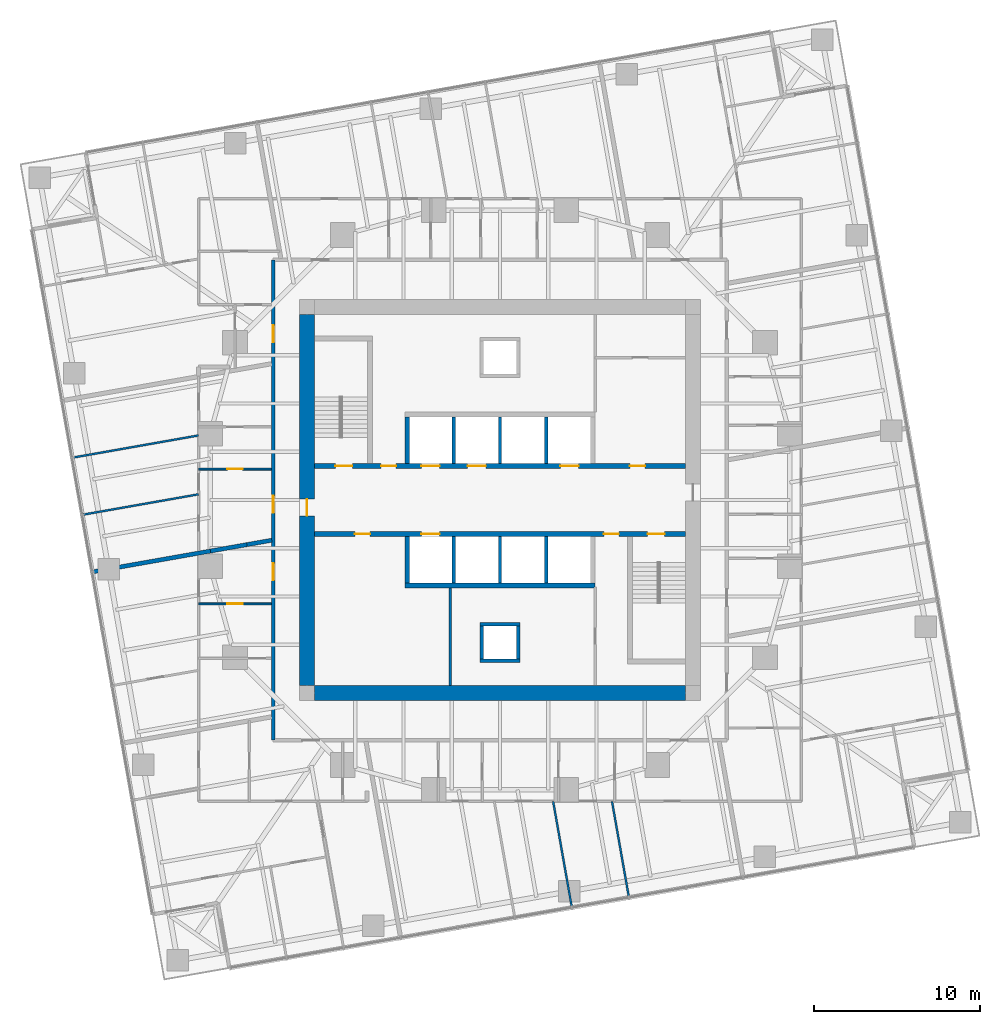
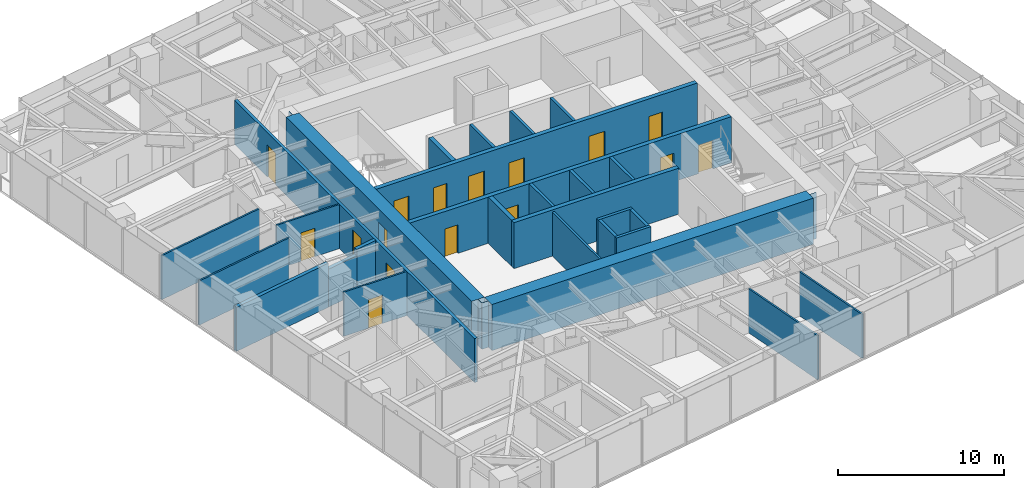
# One storey, part 9 of 14: 28 walls, 16 doors, 16 openings.
"""IFC4 building model written with IfcOpenShell, lengths in metres."""

from ifc_helpers import new_model, si_unit, direction, frame, frame_2d, origin, place, context, subcontext, project, spatial, polyline, rectangle, outline, extrude, material, layer, layer_set, type_object, element, fill, save


model = new_model("IFC4")

# Units and contexts
model_context = context("Model", 3, precision=1e-05, world=origin(), true_north=direction((0.0, 1.0)))
body_context = subcontext(model_context, "Body", "Model", "MODEL_VIEW")
ifc_project = project(units=[si_unit("LENGTHUNIT", "METRE"), si_unit("AREAUNIT", "SQUARE_METRE"), si_unit("VOLUMEUNIT", "CUBIC_METRE"), si_unit("PLANEANGLEUNIT", "RADIAN"), si_unit("MASSUNIT", "GRAM", prefix="KILO")], contexts=[model_context])

# Site, building, storey
site_placement = place(None, origin())
site = spatial("IfcSite", under=ifc_project, at=site_placement, CompositionType="ELEMENT")
building_placement = place(site_placement, origin())
building = spatial("IfcBuilding", under=site, at=building_placement, Name="Torsade Residences", CompositionType="ELEMENT")
storey_placement = place(building_placement, frame((0.0, 0.0, 99.800048828125)))
storey = spatial("IfcBuildingStorey", under=building, at=storey_placement, Name="L27", CompositionType="ELEMENT", Elevation=99.800048828125)

# Wall, openings, doors
ifc_material_1 = material(Name="Concrete 80 MPa", Category="concrete")
ifc_layer_1 = layer(ifc_material_1, 0.300048828125)
ifc_layer_set_1 = layer_set([ifc_layer_1], Name="Concrete 80 MPa")
wall_type_1 = type_object("IfcWallType", Name="CORE INTERNAL WALL 300", PredefinedType="SHEAR", material=ifc_layer_set_1)
wall_1_placement = place(storey_placement, frame((28.800048828125, 32.050048828125, 0.0), z_axis=(0.0, 0.0, 1.0), x_axis=(1.0, 0.0, 0.0)))
wall_1 = element("IfcWall", 1, at=wall_1_placement, inside=storey, type_object=wall_type_1, Name="Core wall LN L27", PredefinedType="SHEAR", context=body_context, shape_type="SweptSolid", body=[
    extrude(rectangle(XDim=22.39990234375, YDim=0.300048828125, at=frame_2d((11.199951171875, 0.0))), origin(), (0.0, 0.0, 1.0), 3.39990234375),
])
opening_1_placement = place(wall_1_placement, frame((19.0400390625, 0.0, 0.0)))
opening_1 = element("IfcOpeningElement", 2, at=opening_1_placement, cuts=wall_1, Name="Opening D06", PredefinedType="OPENING", context=body_context, shape_type="SweptSolid", body=[
    extrude(rectangle(XDim=0.919921875, YDim=2.10009765625, at=frame_2d((0.4599609375, 1.050048828125))), frame((0.0, 0.159912109375, 0.0), z_axis=(0.0, -1.0, 0.0), x_axis=(1.0, 0.0, 0.0)), (0.0, 0.0, 1.0), 0.320068359375),
])
opening_2_placement = place(wall_1_placement, frame((1.264892578125, 0.0, 0.0)))
opening_2 = element("IfcOpeningElement", 3, at=opening_2_placement, cuts=wall_1, Name="Opening D03", PredefinedType="OPENING", context=body_context, shape_type="SweptSolid", body=[
    extrude(rectangle(XDim=1.02001953125, YDim=2.10009765625, at=frame_2d((0.510009765625, 1.050048828125))), frame((0.0, 0.159912109375, 0.0), z_axis=(0.0, -1.0, 0.0), x_axis=(1.0, 0.0, 0.0)), (0.0, 0.0, 1.0), 0.320068359375),
])
opening_3_placement = place(wall_1_placement, frame((4.014892578125, 0.0, 0.0)))
opening_3 = element("IfcOpeningElement", 4, at=opening_3_placement, cuts=wall_1, Name="Opening D06", PredefinedType="OPENING", context=body_context, shape_type="SweptSolid", body=[
    extrude(rectangle(XDim=0.919921875, YDim=2.10009765625, at=frame_2d((0.4599609375, 1.050048828125))), frame((0.0, 0.159912109375, 0.0), z_axis=(0.0, -1.0, 0.0), x_axis=(1.0, 0.0, 0.0)), (0.0, 0.0, 1.0), 0.320068359375),
])
opening_4_placement = place(wall_1_placement, frame((6.449951171875, 0.0, 0.0)))
opening_4 = element("IfcOpeningElement", 5, at=opening_4_placement, cuts=wall_1, Name="Opening LD", PredefinedType="OPENING", context=body_context, shape_type="SweptSolid", body=[
    extrude(rectangle(XDim=1.10009765625, YDim=2.10009765625, at=frame_2d((0.550048828125, 1.050048828125))), frame((0.0, 0.159912109375, 0.0), z_axis=(0.0, -1.0, 0.0), x_axis=(1.0, 0.0, 0.0)), (0.0, 0.0, 1.0), 0.320068359375),
])
opening_5_placement = place(wall_1_placement, frame((9.25, 0.0, 0.0)))
opening_5 = element("IfcOpeningElement", 6, at=opening_5_placement, cuts=wall_1, Name="Opening LD", PredefinedType="OPENING", context=body_context, shape_type="SweptSolid", body=[
    extrude(rectangle(XDim=1.10009765625, YDim=2.10009765625, at=frame_2d((0.550048828125, 1.050048828125))), frame((0.0, 0.159912109375, 0.0), z_axis=(0.0, -1.0, 0.0), x_axis=(1.0, 0.0, 0.0)), (0.0, 0.0, 1.0), 0.320068359375),
])
opening_6_placement = place(wall_1_placement, frame((14.85009765625, 0.0, 0.0)))
opening_6 = element("IfcOpeningElement", 7, at=opening_6_placement, cuts=wall_1, Name="Opening LD", PredefinedType="OPENING", context=body_context, shape_type="SweptSolid", body=[
    extrude(rectangle(XDim=1.10009765625, YDim=2.10009765625, at=frame_2d((0.550048828125, 1.050048828125))), frame((0.0, 0.159912109375, 0.0), z_axis=(0.0, -1.0, 0.0), x_axis=(1.0, 0.0, 0.0)), (0.0, 0.0, 1.0), 0.320068359375),
])
ifc_material_2 = material(Name="Steel-framed fire door", Category="steel")
door_type_1 = type_object("IfcDoorType", Name="FIRE DOOR 1020", OperationType="NOTDEFINED", PredefinedType="DOOR", material=ifc_material_2)
door_1_placement = place(opening_2_placement, origin())
door_1 = element("IfcDoor", 8, at=door_1_placement, inside=storey, type_object=door_type_1, Name="Exit door to fire-isolated stair ST1 L27", OperationType="SINGLE_SWING_RIGHT", OverallHeight=2.10009765625, OverallWidth=1.02001953125, PredefinedType="DOOR", context=body_context, shape_type="SweptSolid", body=[
    extrude(rectangle(XDim=1.02001953125, YDim=2.10009765625, at=frame_2d((0.510009765625, 1.050048828125))), frame((0.0, 0.02490234375, 0.0), z_axis=(0.0, -1.0, 0.0), x_axis=(1.0, 0.0, 0.0)), (0.0, 0.0, 1.0), 0.050048828125),
])
fill(opening_2, door_1)
ifc_material_3 = material(Name="Steel-framed fire door", Category="steel")
door_type_2 = type_object("IfcDoorType", Name="FIRE DOOR 920", OperationType="NOTDEFINED", PredefinedType="DOOR", material=ifc_material_3)
door_2_placement = place(opening_1_placement, origin())
door_2 = element("IfcDoor", 9, at=door_2_placement, inside=storey, type_object=door_type_2, Name="Door Lift lobby to Refuse room", OperationType="SINGLE_SWING_LEFT", OverallHeight=2.10009765625, OverallWidth=0.919921875, PredefinedType="DOOR", context=body_context, shape_type="SweptSolid", body=[
    extrude(rectangle(XDim=0.919921875, YDim=2.10009765625, at=frame_2d((0.4599609375, 1.050048828125))), frame((0.0, 0.02490234375, 0.0), z_axis=(0.0, -1.0, 0.0), x_axis=(1.0, 0.0, 0.0)), (0.0, 0.0, 1.0), 0.050048828125),
])
fill(opening_1, door_2)
door_3_placement = place(opening_3_placement, origin())
door_3 = element("IfcDoor", 10, at=door_3_placement, inside=storey, type_object=door_type_2, Name="Door Lift lobby to Electrical riser room", OperationType="SINGLE_SWING_LEFT", OverallHeight=2.10009765625, OverallWidth=0.919921875, PredefinedType="DOOR", context=body_context, shape_type="SweptSolid", body=[
    extrude(rectangle(XDim=0.919921875, YDim=2.10009765625, at=frame_2d((0.4599609375, 1.050048828125))), frame((0.0, 0.02490234375, 0.0), z_axis=(0.0, -1.0, 0.0), x_axis=(1.0, 0.0, 0.0)), (0.0, 0.0, 1.0), 0.050048828125),
])
fill(opening_3, door_3)
ifc_material_4 = material(Name="Stainless steel lift landing door", Category="steel")
door_type_3 = type_object("IfcDoorType", Name="LIFT LANDING DOOR 1100", OperationType="SLIDING_TO_LEFT", PredefinedType="DOOR", material=ifc_material_4)
door_4_placement = place(opening_4_placement, origin())
door_4 = element("IfcDoor", 11, at=door_4_placement, inside=storey, type_object=door_type_3, Name="Lift LA1 landing door L27", OperationType="SLIDING_TO_LEFT", OverallHeight=2.10009765625, OverallWidth=1.10009765625, PredefinedType="DOOR", context=body_context, shape_type="SweptSolid", body=[
    extrude(rectangle(XDim=1.10009765625, YDim=2.10009765625, at=frame_2d((0.550048828125, 1.050048828125))), frame((0.0, 0.02490234375, 0.0), z_axis=(0.0, -1.0, 0.0), x_axis=(1.0, 0.0, 0.0)), (0.0, 0.0, 1.0), 0.050048828125),
])
fill(opening_4, door_4)
door_5_placement = place(opening_5_placement, origin())
door_5 = element("IfcDoor", 12, at=door_5_placement, inside=storey, type_object=door_type_3, Name="Lift LA2 landing door L27", OperationType="SLIDING_TO_LEFT", OverallHeight=2.10009765625, OverallWidth=1.10009765625, PredefinedType="DOOR", context=body_context, shape_type="SweptSolid", body=[
    extrude(rectangle(XDim=1.10009765625, YDim=2.10009765625, at=frame_2d((0.550048828125, 1.050048828125))), frame((0.0, 0.02490234375, 0.0), z_axis=(0.0, -1.0, 0.0), x_axis=(1.0, 0.0, 0.0)), (0.0, 0.0, 1.0), 0.050048828125),
])
fill(opening_5, door_5)
door_6_placement = place(opening_6_placement, origin())
door_6 = element("IfcDoor", 13, at=door_6_placement, inside=storey, type_object=door_type_3, Name="Lift FL1 landing door L27", OperationType="SLIDING_TO_LEFT", OverallHeight=2.10009765625, OverallWidth=1.10009765625, PredefinedType="DOOR", context=body_context, shape_type="SweptSolid", body=[
    extrude(rectangle(XDim=1.10009765625, YDim=2.10009765625, at=frame_2d((0.550048828125, 1.050048828125))), frame((0.0, 0.02490234375, 0.0), z_axis=(0.0, -1.0, 0.0), x_axis=(1.0, 0.0, 0.0)), (0.0, 0.0, 1.0), 0.050048828125),
])
fill(opening_6, door_6)

wall_2_placement = place(storey_placement, frame((51.199951171875, 27.949951171875, 0.0), z_axis=(0.0, 0.0, 1.0), x_axis=(-1.0, 0.0, 0.0)))
wall_2 = element("IfcWall", 14, at=wall_2_placement, inside=storey, type_object=wall_type_1, Name="Core wall LS L27", PredefinedType="SHEAR", context=body_context, shape_type="SweptSolid", body=[
    extrude(rectangle(XDim=22.39990234375, YDim=0.300048828125, at=frame_2d((11.199951171875, 0.0))), origin(), (0.0, 0.0, 1.0), 3.39990234375),
])
opening_7_placement = place(wall_2_placement, frame((19.0400390625, 0.0, 0.0)))
opening_7 = element("IfcOpeningElement", 15, at=opening_7_placement, cuts=wall_2, Name="Opening D06", PredefinedType="OPENING", context=body_context, shape_type="SweptSolid", body=[
    extrude(rectangle(XDim=0.919921875, YDim=2.10009765625, at=frame_2d((0.4599609375, 1.050048828125))), frame((0.0, 0.159912109375, 0.0), z_axis=(0.0, -1.0, 0.0), x_axis=(1.0, 0.0, 0.0)), (0.0, 0.0, 1.0), 0.320068359375),
])
opening_8_placement = place(wall_2_placement, frame((1.264892578125, 0.0, 0.0)))
opening_8 = element("IfcOpeningElement", 16, at=opening_8_placement, cuts=wall_2, Name="Opening D03", PredefinedType="OPENING", context=body_context, shape_type="SweptSolid", body=[
    extrude(rectangle(XDim=1.02001953125, YDim=2.10009765625, at=frame_2d((0.510009765625, 1.050048828125))), frame((0.0, 0.159912109375, 0.0), z_axis=(0.0, -1.0, 0.0), x_axis=(1.0, 0.0, 0.0)), (0.0, 0.0, 1.0), 0.320068359375),
])
opening_9_placement = place(wall_2_placement, frame((4.014892578125, 0.0, 0.0)))
opening_9 = element("IfcOpeningElement", 17, at=opening_9_placement, cuts=wall_2, Name="Opening D06", PredefinedType="OPENING", context=body_context, shape_type="SweptSolid", body=[
    extrude(rectangle(XDim=0.919921875, YDim=2.10009765625, at=frame_2d((0.4599609375, 1.050048828125))), frame((0.0, 0.159912109375, 0.0), z_axis=(0.0, -1.0, 0.0), x_axis=(1.0, 0.0, 0.0)), (0.0, 0.0, 1.0), 0.320068359375),
])
opening_10_placement = place(wall_2_placement, frame((14.85009765625, 0.0, 0.0)))
opening_10 = element("IfcOpeningElement", 18, at=opening_10_placement, cuts=wall_2, Name="Opening LD", PredefinedType="OPENING", context=body_context, shape_type="SweptSolid", body=[
    extrude(rectangle(XDim=1.10009765625, YDim=2.10009765625, at=frame_2d((0.550048828125, 1.050048828125))), frame((0.0, 0.159912109375, 0.0), z_axis=(0.0, -1.0, 0.0), x_axis=(1.0, 0.0, 0.0)), (0.0, 0.0, 1.0), 0.320068359375),
])
door_7_placement = place(opening_8_placement, origin())
door_7 = element("IfcDoor", 19, at=door_7_placement, inside=storey, type_object=door_type_1, Name="Exit door to fire-isolated stair ST2 L27", OperationType="SINGLE_SWING_RIGHT", OverallHeight=2.10009765625, OverallWidth=1.02001953125, PredefinedType="DOOR", context=body_context, shape_type="SweptSolid", body=[
    extrude(rectangle(XDim=1.02001953125, YDim=2.10009765625, at=frame_2d((0.510009765625, 1.050048828125))), frame((0.0, 0.02490234375, 0.0), z_axis=(0.0, -1.0, 0.0), x_axis=(1.0, 0.0, 0.0)), (0.0, 0.0, 1.0), 0.050048828125),
])
fill(opening_8, door_7)
door_8_placement = place(opening_7_placement, origin())
door_8 = element("IfcDoor", 20, at=door_8_placement, inside=storey, type_object=door_type_2, Name="Door Lift lobby to Cleaner store", OperationType="SINGLE_SWING_LEFT", OverallHeight=2.10009765625, OverallWidth=0.919921875, PredefinedType="DOOR", context=body_context, shape_type="SweptSolid", body=[
    extrude(rectangle(XDim=0.919921875, YDim=2.10009765625, at=frame_2d((0.4599609375, 1.050048828125))), frame((0.0, 0.02490234375, 0.0), z_axis=(0.0, -1.0, 0.0), x_axis=(1.0, 0.0, 0.0)), (0.0, 0.0, 1.0), 0.050048828125),
])
fill(opening_7, door_8)
door_9_placement = place(opening_9_placement, origin())
door_9 = element("IfcDoor", 21, at=door_9_placement, inside=storey, type_object=door_type_2, Name="Door Lift lobby to Security and data store", OperationType="SINGLE_SWING_RIGHT", OverallHeight=2.10009765625, OverallWidth=0.919921875, PredefinedType="DOOR", context=body_context, shape_type="SweptSolid", body=[
    extrude(rectangle(XDim=0.919921875, YDim=2.10009765625, at=frame_2d((0.4599609375, 1.050048828125))), frame((0.0, 0.02490234375, 0.0), z_axis=(0.0, -1.0, 0.0), x_axis=(1.0, 0.0, 0.0)), (0.0, 0.0, 1.0), 0.050048828125),
])
fill(opening_9, door_9)
door_10_placement = place(opening_10_placement, origin())
door_10 = element("IfcDoor", 22, at=door_10_placement, inside=storey, type_object=door_type_3, Name="Lift FL2 landing door L27", OperationType="SLIDING_TO_LEFT", OverallHeight=2.10009765625, OverallWidth=1.10009765625, PredefinedType="DOOR", context=body_context, shape_type="SweptSolid", body=[
    extrude(rectangle(XDim=1.10009765625, YDim=2.10009765625, at=frame_2d((0.550048828125, 1.050048828125))), frame((0.0, 0.02490234375, 0.0), z_axis=(0.0, -1.0, 0.0), x_axis=(1.0, 0.0, 0.0)), (0.0, 0.0, 1.0), 0.050048828125),
])
fill(opening_10, door_10)

# Walls
wall_3_placement = place(storey_placement, frame((45.75, 24.85009765625, 0.0), z_axis=(0.0, 0.0, 1.0), x_axis=(-1.0, 0.0, 0.0)))
element("IfcWall", 23, at=wall_3_placement, inside=storey, type_object=wall_type_1, Name="Core wall BS L27", PredefinedType="SHEAR", context=body_context, shape_type="SweptSolid", body=[
    extrude(rectangle(XDim=11.5, YDim=0.300048828125, at=frame_2d((5.75, 0.0))), origin(), (0.0, 0.0, 1.0), 3.39990234375),
])
for number, where, z_axis, x_axis, name in (
    (24, (34.39990234375, 32.199951171875, 0.0), (0.0, 0.0, 1.0), (0.0, 1.0, 0.0), "Core wall DN0 L27"),
    (25, (34.39990234375, 27.800048828125, 0.0), (0.0, 0.0, 1.0), (0.0, -1.0, 0.0), "Core wall DS4 L27"),
):
    element("IfcWall", number, at=place(storey_placement, frame(where, z_axis=z_axis, x_axis=x_axis)), inside=storey, type_object=wall_type_1, Name=name, PredefinedType="SHEAR", context=body_context, shape_type="SweptSolid", body=[
        extrude(rectangle(XDim=2.800048828125, YDim=0.300048828125, at=frame_2d((1.39990234375, 0.0))), origin(), (0.0, 0.0, 1.0), 3.39990234375),
    ])
ifc_material_5 = material(Name="Concrete 80 MPa", Category="concrete")
ifc_layer_2 = layer(ifc_material_5, 0.89990234375)
ifc_layer_set_2 = layer_set([ifc_layer_2], Name="Concrete 80 MPa")
wall_type_2 = type_object("IfcWallType", Name="CORE WALL 900", PredefinedType="SHEAR", material=ifc_layer_set_2)
wall_4_placement = place(storey_placement, frame((51.199951171875, 18.35009765625, 0.0), z_axis=(0.0, 0.0, 1.0), x_axis=(-1.0, 0.0, 0.0)))
element("IfcWall", 26, at=wall_4_placement, inside=storey, type_object=wall_type_2, Name="Core wall S L27", PredefinedType="SHEAR", context=body_context, shape_type="SweptSolid", body=[
    extrude(outline(polyline([(0.0, -0.449951171875), (22.39990234375, -0.449951171875), (22.39990234375, -0.02490234375), (22.849853515625, -0.02490234375), (22.849853515625, 0.02490234375), (22.39990234375, 0.02490234375), (22.39990234375, 0.449951171875), (0.0, 0.449951171875), (0.0, 0.02490234375), (-0.449951171875, 0.02490234375), (-0.449951171875, -0.02490234375), (0.0, -0.02490234375), (0.0, -0.449951171875)])), origin(), (0.0, 0.0, 1.0), 3.39990234375),
])

# Wall, opening, door
wall_5_placement = place(storey_placement, frame((28.35009765625, 41.199951171875, 0.0), z_axis=(0.0, 0.0, 1.0), x_axis=(0.0, -1.0, 0.0)))
wall_5 = element("IfcWall", 27, at=wall_5_placement, inside=storey, type_object=wall_type_2, Name="Core wall W L27", PredefinedType="SHEAR", context=body_context, shape_type="SweptSolid", body=[
    extrude(outline(polyline([(0.0, -0.449951171875), (22.39990234375, -0.449951171875), (22.39990234375, -0.02490234375), (22.849853515625, -0.02490234375), (22.849853515625, 0.02490234375), (22.39990234375, 0.02490234375), (22.39990234375, 0.449951171875), (0.0, 0.449951171875), (0.0, 0.02490234375), (-0.449951171875, 0.02490234375), (-0.449951171875, -0.02490234375), (0.0, -0.02490234375), (0.0, -0.449951171875)])), origin(), (0.0, 0.0, 1.0), 3.39990234375),
])
opening_11_placement = place(wall_5_placement, frame((11.139892578125, 0.0, 0.0)))
opening_11 = element("IfcOpeningElement", 28, at=opening_11_placement, cuts=wall_5, Name="Opening D04", PredefinedType="OPENING", context=body_context, shape_type="SweptSolid", body=[
    extrude(rectangle(XDim=1.02001953125, YDim=2.39990234375, at=frame_2d((0.510009765625, 1.199951171875))), frame((0.0, 0.4599609375, 0.0), z_axis=(0.0, -1.0, 0.0), x_axis=(1.0, 0.0, 0.0)), (0.0, 0.0, 1.0), 0.919921875),
])
ifc_material_6 = material(Name="Steel-framed fire door", Category="steel")
door_type_4 = type_object("IfcDoorType", Name="LOBBY SMOKE DOOR 1020x2400", OperationType="NOTDEFINED", PredefinedType="DOOR", material=ifc_material_6)
door_11_placement = place(opening_11_placement, origin())
door_11 = element("IfcDoor", 29, at=door_11_placement, inside=storey, type_object=door_type_4, Name="Lift lobby door W L27", OperationType="SINGLE_SWING_RIGHT", OverallHeight=2.39990234375, OverallWidth=1.02001953125, PredefinedType="DOOR", context=body_context, shape_type="SweptSolid", body=[
    extrude(rectangle(XDim=1.02001953125, YDim=2.39990234375, at=frame_2d((0.510009765625, 1.199951171875))), frame((0.0, 0.02490234375, 0.0), z_axis=(0.0, -1.0, 0.0), x_axis=(1.0, 0.0, 0.0)), (0.0, 0.0, 1.0), 0.050048828125),
])
fill(opening_11, door_11)

# Wall, openings, doors
ifc_material_7 = material(Name="Plasterboard on steel stud", Category="steel")
ifc_layer_3 = layer(ifc_material_7, 0.199951171875)
ifc_layer_set_3 = layer_set([ifc_layer_3], Name="Plasterboard on steel stud")
wall_type_3 = type_object("IfcWallType", Name="CORRIDOR WALL 200", PredefinedType="PARTITIONING", material=ifc_layer_set_3)
wall_6_placement = place(storey_placement, frame((26.300048828125, 44.5, 0.0), z_axis=(0.0, 0.0, 1.0), x_axis=(0.0, -1.0, 0.0)))
wall_6 = element("IfcWall", 30, at=wall_6_placement, inside=storey, type_object=wall_type_3, Name="Corridor wall L27", PredefinedType="PARTITIONING", context=body_context, shape_type="SweptSolid", body=[
    extrude(rectangle(XDim=29.0, YDim=0.199951171875, at=frame_2d((14.5, 0.0))), origin(), (0.0, 0.0, 1.0), 3.25),
])
opening_12_placement = place(wall_6_placement, frame((14.257080078125, 0.0, 0.0)))
opening_12 = element("IfcOpeningElement", 31, at=opening_12_placement, cuts=wall_6, Name="Opening D01", PredefinedType="OPENING", context=body_context, shape_type="SweptSolid", body=[
    extrude(rectangle(XDim=1.02001953125, YDim=2.340087890625, at=frame_2d((0.510009765625, 1.169921875))), frame((0.0, 0.10986328125, 0.0), z_axis=(0.0, -1.0, 0.0), x_axis=(1.0, 0.0, 0.0)), (0.0, 0.0, 1.0), 0.219970703125),
])
opening_13_placement = place(wall_6_placement, frame((18.321533203125, 0.0, 0.0)))
opening_13 = element("IfcOpeningElement", 32, at=opening_13_placement, cuts=wall_6, Name="Opening D01", PredefinedType="OPENING", context=body_context, shape_type="SweptSolid", body=[
    extrude(rectangle(XDim=1.02001953125, YDim=2.340087890625, at=frame_2d((0.510009765625, 1.169921875))), frame((0.0, 0.10986328125, 0.0), z_axis=(0.0, -1.0, 0.0), x_axis=(1.0, 0.0, 0.0)), (0.0, 0.0, 1.0), 0.219970703125),
])
opening_14_placement = place(wall_6_placement, frame((3.962646484375, 0.0, 0.0)))
opening_14 = element("IfcOpeningElement", 33, at=opening_14_placement, cuts=wall_6, Name="Opening D01", PredefinedType="OPENING", context=body_context, shape_type="SweptSolid", body=[
    extrude(rectangle(XDim=1.02001953125, YDim=2.340087890625, at=frame_2d((0.510009765625, 1.169921875))), frame((0.0, 0.10986328125, 0.0), z_axis=(0.0, -1.0, 0.0), x_axis=(1.0, 0.0, 0.0)), (0.0, 0.0, 1.0), 0.219970703125),
])
ifc_material_8 = material(Name="Solid-core timber fire door", Category="wood")
door_type_5 = type_object("IfcDoorType", Name="APARTMENT ENTRY DOOR 1020x2340", OperationType="NOTDEFINED", PredefinedType="DOOR", material=ifc_material_8)
door_12_placement = place(opening_12_placement, origin())
door_12 = element("IfcDoor", 34, at=door_12_placement, inside=storey, type_object=door_type_5, Name="Door Residential corridor to Kitchen and dining", OperationType="SINGLE_SWING_LEFT", OverallHeight=2.340087890625, OverallWidth=1.02001953125, PredefinedType="DOOR", context=body_context, shape_type="SweptSolid", body=[
    extrude(rectangle(XDim=1.02001953125, YDim=2.340087890625, at=frame_2d((0.510009765625, 1.169921875))), frame((0.0, 0.02490234375, 0.0), z_axis=(0.0, -1.0, 0.0), x_axis=(1.0, 0.0, 0.0)), (0.0, 0.0, 1.0), 0.050048828125),
])
fill(opening_12, door_12)
door_13_placement = place(opening_13_placement, origin())
door_13 = element("IfcDoor", 35, at=door_13_placement, inside=storey, type_object=door_type_5, Name="Door Residential corridor to Kitchen and dining", OperationType="SINGLE_SWING_RIGHT", OverallHeight=2.340087890625, OverallWidth=1.02001953125, PredefinedType="DOOR", context=body_context, shape_type="SweptSolid", body=[
    extrude(rectangle(XDim=1.02001953125, YDim=2.340087890625, at=frame_2d((0.510009765625, 1.169921875))), frame((0.0, 0.02490234375, 0.0), z_axis=(0.0, -1.0, 0.0), x_axis=(1.0, 0.0, 0.0)), (0.0, 0.0, 1.0), 0.050048828125),
])
fill(opening_13, door_13)
door_14_placement = place(opening_14_placement, origin())
door_14 = element("IfcDoor", 36, at=door_14_placement, inside=storey, type_object=door_type_5, Name="Door Residential corridor to Kitchen and dining", OperationType="SINGLE_SWING_RIGHT", OverallHeight=2.340087890625, OverallWidth=1.02001953125, PredefinedType="DOOR", context=body_context, shape_type="SweptSolid", body=[
    extrude(rectangle(XDim=1.02001953125, YDim=2.340087890625, at=frame_2d((0.510009765625, 1.169921875))), frame((0.0, 0.02490234375, 0.0), z_axis=(0.0, -1.0, 0.0), x_axis=(1.0, 0.0, 0.0)), (0.0, 0.0, 1.0), 0.050048828125),
])
fill(opening_14, door_14)

# Walls
ifc_material_9 = material(Name="Reinforced blockwork", Category="masonry")
ifc_layer_4 = layer(ifc_material_9, 0.199951171875)
ifc_layer_set_4 = layer_set([ifc_layer_4], Name="Reinforced blockwork")
wall_type_4 = type_object("IfcWallType", Name="LIFT SHAFT DIVIDING WALL 200", PredefinedType="SOLIDWALL", material=ifc_layer_set_4)
for number, where, z_axis, x_axis, name in (
    (37, (37.199951171875, 32.199951171875, 0.0), (0.0, 0.0, 1.0), (0.0, 1.0, 0.0), "Core wall DN1 L27"),
    (38, (42.800048828125, 27.800048828125, 0.0), (0.0, 0.0, 1.0), (0.0, -1.0, 0.0), "Core wall DS1 L27"),
    (39, (40.0, 32.199951171875, 0.0), (0.0, 0.0, 1.0), (0.0, 1.0, 0.0), "Core wall DN2 L27"),
    (40, (40.0, 27.800048828125, 0.0), (0.0, 0.0, 1.0), (0.0, -1.0, 0.0), "Core wall DS2 L27"),
    (41, (42.800048828125, 32.199951171875, 0.0), (0.0, 0.0, 1.0), (0.0, 1.0, 0.0), "Core wall DN3 L27"),
    (42, (37.199951171875, 27.800048828125, 0.0), (0.0, 0.0, 1.0), (0.0, -1.0, 0.0), "Core wall DS3 L27"),
):
    element("IfcWall", number, at=place(storey_placement, frame(where, z_axis=z_axis, x_axis=x_axis)), inside=storey, type_object=wall_type_4, Name=name, PredefinedType="SOLIDWALL", context=body_context, shape_type="SweptSolid", body=[
        extrude(rectangle(XDim=2.800048828125, YDim=0.199951171875, at=frame_2d((1.39990234375, 0.0))), origin(), (0.0, 0.0, 1.0), 3.39990234375),
    ])

# Wall, opening, door
ifc_material_10 = material(Name="Plasterboard on steel stud", Category="steel")
ifc_layer_5 = layer(ifc_material_10, 0.1201171875)
ifc_layer_set_5 = layer_set([ifc_layer_5], Name="Plasterboard on steel stud")
wall_type_5 = type_object("IfcWallType", Name="PARTITION 120", PredefinedType="PARTITIONING", material=ifc_layer_set_5)
wall_7_placement = place(storey_placement, frame((26.199951171875, 23.731201171875, 0.0), z_axis=(0.0, 0.0, 1.0), x_axis=(-1.0, 0.0, 0.0)))
wall_7 = element("IfcWall", 43, at=wall_7_placement, inside=storey, type_object=wall_type_5, Name="Partition L27", PredefinedType="PARTITIONING", context=body_context, shape_type="SweptSolid", body=[
    extrude(rectangle(XDim=4.39990234375, YDim=0.1201171875, at=frame_2d((2.199951171875, 0.0))), origin(), (0.0, 0.0, 1.0), 3.25),
])
opening_15_placement = place(wall_7_placement, frame((1.719970703125, 0.0, 0.0)))
opening_15 = element("IfcOpeningElement", 44, at=opening_15_placement, cuts=wall_7, Name="Opening D05", PredefinedType="OPENING", context=body_context, shape_type="SweptSolid", body=[
    extrude(rectangle(XDim=0.9599609375, YDim=2.10009765625, at=frame_2d((0.47998046875, 1.050048828125))), frame((0.0, 0.070068359375, 0.0), z_axis=(0.0, -1.0, 0.0), x_axis=(1.0, 0.0, 0.0)), (0.0, 0.0, 1.0), 0.14013671875),
])
ifc_material_11 = material(Name="Hollow-core timber door in a steel cavity frame", Category="steel")
door_type_6 = type_object("IfcDoorType", Name="BATHROOM CAVITY SLIDING DOOR 960", OperationType="SLIDING_TO_LEFT", PredefinedType="DOOR", material=ifc_material_11)
door_15_placement = place(opening_15_placement, origin())
door_15 = element("IfcDoor", 45, at=door_15_placement, inside=storey, type_object=door_type_6, Name="Door Kitchen and dining to Ensuite", OperationType="SLIDING_TO_LEFT", OverallHeight=2.10009765625, OverallWidth=0.9599609375, PredefinedType="DOOR", context=body_context, shape_type="SweptSolid", body=[
    extrude(rectangle(XDim=0.9599609375, YDim=2.10009765625, at=frame_2d((0.47998046875, 1.050048828125))), frame((0.0, 0.02490234375, 0.0), z_axis=(0.0, -1.0, 0.0), x_axis=(1.0, 0.0, 0.0)), (0.0, 0.0, 1.0), 0.050048828125),
])
fill(opening_15, door_15)

# Walls
wall_8_placement = place(storey_placement, frame((47.781005859375, 6.02685546875, 0.0), z_axis=(0.0, 0.0, 1.0), x_axis=(-0.173623777139, 0.984812055172, 0.0)))
element("IfcWall", 46, at=wall_8_placement, inside=storey, type_object=wall_type_5, Name="Partition L27", PredefinedType="PARTITIONING", context=body_context, shape_type="SweptSolid", body=[
    extrude(rectangle(XDim=5.8623046875, YDim=0.1201171875, at=frame_2d((2.93115234375, 0.0))), origin(), (0.0, 0.0, 1.0), 3.25),
])
wall_9_placement = place(storey_placement, frame((43.209228515625, 11.800048828125, 0.0), z_axis=(0.0, 0.0, 1.0), x_axis=(0.173630564586, -0.984810858511, 0.0)))
element("IfcWall", 47, at=wall_9_placement, inside=storey, type_object=wall_type_5, Name="Partition L27", PredefinedType="PARTITIONING", context=body_context, shape_type="SweptSolid", body=[
    extrude(rectangle(XDim=6.479248046875, YDim=0.1201171875, at=frame_2d((3.23974609375, 0.0))), origin(), (0.0, 0.0, 1.0), 3.25),
])

# Wall, opening, door
wall_10_placement = place(storey_placement, frame((21.800048828125, 31.867919921875, 0.0), z_axis=(0.0, 0.0, 1.0), x_axis=(1.0, 0.0, 0.0)))
wall_10 = element("IfcWall", 48, at=wall_10_placement, inside=storey, type_object=wall_type_5, Name="Partition L27", PredefinedType="PARTITIONING", context=body_context, shape_type="SweptSolid", body=[
    extrude(rectangle(XDim=4.39990234375, YDim=0.1201171875, at=frame_2d((2.199951171875, 0.0))), origin(), (0.0, 0.0, 1.0), 3.25),
])
opening_16_placement = place(wall_10_placement, frame((1.719970703125, 0.0, 0.0)))
opening_16 = element("IfcOpeningElement", 49, at=opening_16_placement, cuts=wall_10, Name="Opening D05", PredefinedType="OPENING", context=body_context, shape_type="SweptSolid", body=[
    extrude(rectangle(XDim=0.9599609375, YDim=2.10009765625, at=frame_2d((0.47998046875, 1.050048828125))), frame((0.0, 0.070068359375, 0.0), z_axis=(0.0, -1.0, 0.0), x_axis=(1.0, 0.0, 0.0)), (0.0, 0.0, 1.0), 0.14013671875),
])
door_16_placement = place(opening_16_placement, origin())
door_16 = element("IfcDoor", 50, at=door_16_placement, inside=storey, type_object=door_type_6, Name="Door Kitchen and dining to Ensuite", OperationType="SLIDING_TO_LEFT", OverallHeight=2.10009765625, OverallWidth=0.9599609375, PredefinedType="DOOR", context=body_context, shape_type="SweptSolid", body=[
    extrude(rectangle(XDim=0.9599609375, YDim=2.10009765625, at=frame_2d((0.47998046875, 1.050048828125))), frame((0.0, 0.02490234375, 0.0), z_axis=(0.0, -1.0, 0.0), x_axis=(1.0, 0.0, 0.0)), (0.0, 0.0, 1.0), 0.050048828125),
])
fill(opening_16, door_16)

# Walls
wall_11_placement = place(storey_placement, frame((21.800048828125, 33.89892578125, 0.0), z_axis=(0.0, 0.0, 1.0), x_axis=(-0.984804581119, -0.173666165406, 0.0)))
element("IfcWall", 51, at=wall_11_placement, inside=storey, type_object=wall_type_5, Name="Partition L27", PredefinedType="PARTITIONING", context=body_context, shape_type="SweptSolid", body=[
    extrude(rectangle(XDim=7.713623046875, YDim=0.1201171875, at=frame_2d((3.85693359375, 0.0))), origin(), (0.0, 0.0, 1.0), 3.25),
])
wall_12_placement = place(storey_placement, frame((21.800048828125, 30.3447265625, 0.0), z_axis=(0.0, 0.0, 1.0), x_axis=(-0.984809869921, -0.17363617165, 0.0)))
element("IfcWall", 52, at=wall_12_placement, inside=storey, type_object=wall_type_5, Name="Partition L27", PredefinedType="PARTITIONING", context=body_context, shape_type="SweptSolid", body=[
    extrude(rectangle(XDim=7.096435546875, YDim=0.1201171875, at=frame_2d((3.54833984375, 0.0))), origin(), (0.0, 0.0, 1.0), 3.25),
])
ifc_material_12 = material(Name="Masonry-lined stud party wall", Category="masonry")
ifc_layer_6 = layer(ifc_material_12, 0.25)
ifc_layer_set_6 = layer_set([ifc_layer_6], Name="Masonry-lined stud party wall")
wall_type_6 = type_object("IfcWallType", Name="PARTY WALL 250", PredefinedType="PARTITIONING", material=ifc_layer_set_6)
wall_13_placement = place(storey_placement, frame((15.3798828125, 25.65869140625, 0.0), z_axis=(0.0, 0.0, 1.0), x_axis=(0.984802553948, 0.173677660443, 0.0)))
element("IfcWall", 53, at=wall_13_placement, inside=storey, type_object=wall_type_6, Name="Party wall L27", PredefinedType="PARTITIONING", context=body_context, shape_type="SweptSolid", body=[
    extrude(rectangle(XDim=7.24365234375, YDim=0.25, at=frame_2d((3.621826171875, 0.0))), origin(), (0.0, 0.0, 1.0), 3.25),
])
wall_14_placement = place(storey_placement, frame((22.513427734375, 26.916748046875, 0.0), z_axis=(0.0, 0.0, 1.0), x_axis=(0.984809882944, 0.17363609779, 0.0)))
element("IfcWall", 54, at=wall_14_placement, inside=storey, type_object=wall_type_6, Name="Party wall L27", PredefinedType="PARTITIONING", context=body_context, shape_type="SweptSolid", body=[
    extrude(rectangle(XDim=2.23974609375, YDim=0.25, at=frame_2d((1.119873046875, 0.0))), origin(), (0.0, 0.0, 1.0), 2.794921875),
])
wall_15_placement = place(storey_placement, frame((24.71923828125, 27.3056640625, 0.0), z_axis=(0.0, 0.0, 1.0), x_axis=(0.984815846312, 0.173602272028, 0.0)))
element("IfcWall", 55, at=wall_15_placement, inside=storey, type_object=wall_type_6, Name="Party wall L27", PredefinedType="PARTITIONING", context=body_context, shape_type="SweptSolid", body=[
    extrude(rectangle(XDim=1.521728515625, YDim=0.25, at=frame_2d((0.7607421875, 0.0))), origin(), (0.0, 0.0, 1.0), 3.25),
])
ifc_material_13 = material(Name="Reinforced blockwork", Category="masonry")
ifc_layer_7 = layer(ifc_material_13, 0.199951171875)
ifc_layer_set_7 = layer_set([ifc_layer_7], Name="Reinforced blockwork")
wall_type_7 = type_object("IfcWallType", Name="RISER SHAFT WALL 200", PredefinedType="SOLIDWALL", material=ifc_layer_set_7)
for number, where, z_axis, x_axis, name in (
    (56, (38.89990234375, 22.39990234375, 0.0), (0.0, 0.0, 1.0), (0.0, -1.0, 0.0), "Core wall RS2a L27"),
    (57, (41.10009765625, 22.39990234375, 0.0), (0.0, 0.0, 1.0), (0.0, -1.0, 0.0), "Core wall RS2b L27"),
):
    element("IfcWall", number, at=place(storey_placement, frame(where, z_axis=z_axis, x_axis=x_axis)), inside=storey, type_object=wall_type_7, Name=name, PredefinedType="SOLIDWALL", context=body_context, shape_type="SweptSolid", body=[
        extrude(rectangle(XDim=2.0, YDim=0.199951171875, at=frame_2d((1.0, 0.0))), origin(), (0.0, 0.0, 1.0), 3.39990234375),
    ])
for number, where, z_axis, x_axis, name in (
    (58, (38.800048828125, 22.5, 0.0), (0.0, 0.0, 1.0), (1.0, 0.0, 0.0), "Core wall RS2c L27"),
    (59, (38.800048828125, 20.300048828125, 0.0), (0.0, 0.0, 1.0), (1.0, 0.0, 0.0), "Core wall RS2d L27"),
):
    element("IfcWall", number, at=place(storey_placement, frame(where, z_axis=z_axis, x_axis=x_axis)), inside=storey, type_object=wall_type_7, Name=name, PredefinedType="SOLIDWALL", context=body_context, shape_type="SweptSolid", body=[
        extrude(rectangle(XDim=2.39990234375, YDim=0.199951171875, at=frame_2d((1.199951171875, 0.0))), origin(), (0.0, 0.0, 1.0), 3.39990234375),
    ])
ifc_material_14 = material(Name="Reinforced blockwork", Category="masonry")
ifc_layer_8 = layer(ifc_material_14, 0.14990234375)
ifc_layer_set_8 = layer_set([ifc_layer_8], Name="Reinforced blockwork")
wall_type_8 = type_object("IfcWallType", Name="SERVICE ROOM WALL 150", PredefinedType="SOLIDWALL", material=ifc_layer_set_8)
wall_16_placement = place(storey_placement, frame((37.0, 18.800048828125, 0.0), z_axis=(0.0, 0.0, 1.0), x_axis=(0.0, 1.0, 0.0)))
element("IfcWall", 60, at=wall_16_placement, inside=storey, type_object=wall_type_8, Name="Service room wall L27", PredefinedType="SOLIDWALL", context=body_context, shape_type="SweptSolid", body=[
    extrude(rectangle(XDim=5.89990234375, YDim=0.14990234375, at=frame_2d((2.949951171875, 0.0))), origin(), (0.0, 0.0, 1.0), 3.25),
])

save(model, "model.ifc")
